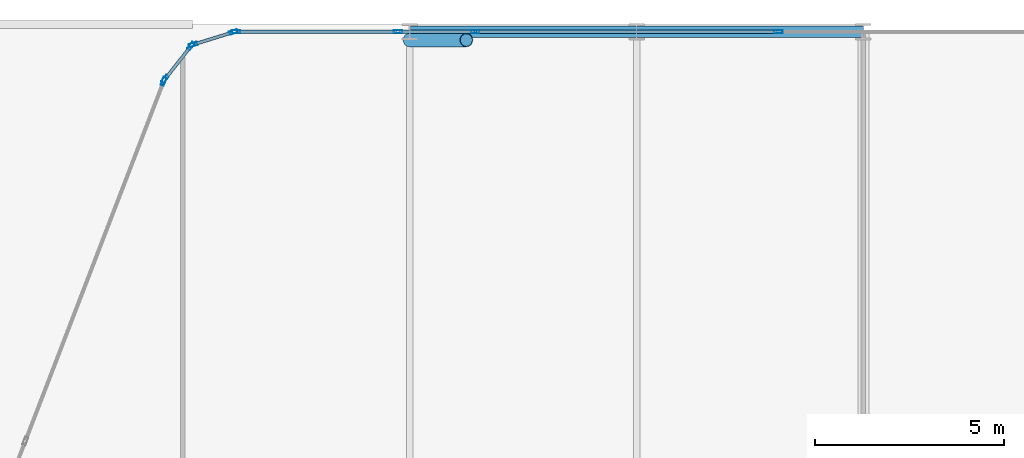
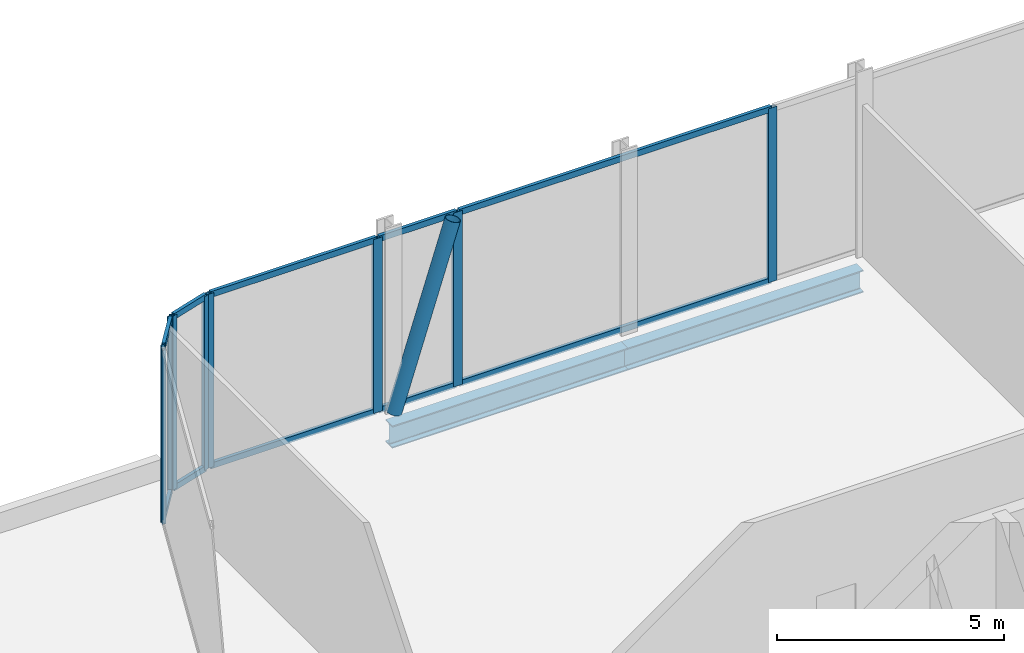
# One storey, part 11 of 29: 20 members, 2 beams, 6 elements without a shape of their own.
"""IFC4 building model written with IfcOpenShell, lengths in metres."""

from ifc_helpers import new_model, si_unit, direction, frame, origin, origin_2d, place, context, subcontext, project, spatial, hollow_rectangle, hollow_circle, i_section, extrude, material, layer, layer_set, material_profile, profile_set, type_object, element, aggregate, save


model = new_model("IFC4")

# Units and contexts
model_context = context("Model", 3, precision=1e-05, world=origin(), true_north=direction((0.0, 1.0)))
body_context = subcontext(model_context, "Body", "Model", "MODEL_VIEW")
ifc_project = project(units=[si_unit("LENGTHUNIT", "METRE"), si_unit("AREAUNIT", "SQUARE_METRE"), si_unit("VOLUMEUNIT", "CUBIC_METRE"), si_unit("PLANEANGLEUNIT", "RADIAN"), si_unit("MASSUNIT", "GRAM", prefix="KILO")], contexts=[model_context])

# Site, building, storey
site_placement = place(None, origin())
site = spatial("IfcSite", under=ifc_project, at=site_placement, CompositionType="ELEMENT")
building_placement = place(site_placement, origin())
building = spatial("IfcBuilding", under=site, at=building_placement, Name="Keshet Zoharim Tower", CompositionType="ELEMENT")
storey_placement = place(building_placement, frame((0.0, 0.0, 19.0)))
storey = spatial("IfcBuildingStorey", under=building, at=storey_placement, Name="L03", CompositionType="ELEMENT", Elevation=19.0)

# Beams
ifc_material_1 = material(Name="Steel S355", Category="steel")
ifc_material_profile_1 = material_profile(ifc_material_1, i_section(OverallWidth=0.300048828125, OverallDepth=0.60009765625, WebThickness=0.015380859375, FlangeThickness=0.030029296875, FilletRadius=0.027099609375, at=origin_2d()), Name="HEB600")
ifc_profile_set_1 = profile_set([ifc_material_profile_1], Name="Steel S355")
beam_type = type_object("IfcBeamType", Name="BM-WEB-HB600", PredefinedType="BEAM", material=ifc_profile_set_1)
for number, where, z_axis, x_axis, name in (
    (1, (21.0, 53.89990234375, -0.719970703125), (1.0, 0.0, 0.0), (0.0, 1.0, 0.0), "L03 Primary Girder X-007"),
    (2, (27.0, 53.89990234375, -0.719970703125), (1.0, 0.0, 0.0), (0.0, 1.0, 0.0), "L03 Primary Girder X-008"),
):
    element("IfcBeam", number, at=place(storey_placement, frame(where, z_axis=z_axis, x_axis=x_axis)), inside=storey, type_object=beam_type, Name=name, PredefinedType="BEAM", context=body_context, shape_type="SweptSolid", body=[
        extrude(i_section(OverallWidth=0.300048828125, OverallDepth=0.60009765625, WebThickness=0.015380859375, FlangeThickness=0.030029296875, FilletRadius=0.027099609375, at=origin_2d()), origin(), (0.0, 0.0, 1.0), 6.0),
    ])

# Curtain wall, member
ifc_material_2 = material(Name="Aluminium 6063-T6", Category="aluminium")
ifc_layer_1 = layer(ifc_material_2, 0.179931640625)
ifc_layer_set_1 = layer_set([ifc_layer_1], Name="Aluminium 6063-T6")
curtain_wall_type_1 = type_object("IfcCurtainWallType", Name="CW-SYS-01", PredefinedType="NOTDEFINED", material=ifc_layer_set_1)
curtain_wall_1_placement = place(storey_placement, origin())
curtain_wall_1 = element("IfcCurtainWall", 3, at=curtain_wall_1_placement, inside=storey, type_object=curtain_wall_type_1, Name="L03 Unitised Curtain Wall 03", PredefinedType="NOTDEFINED")
ifc_material_profile_2 = material_profile(ifc_material_2, hollow_rectangle(XDim=0.090087890625, YDim=0.219970703125, WallThickness=0.0048828125, at=origin_2d()), Name="MUL-90x220")
ifc_profile_set_2 = profile_set([ifc_material_profile_2], Name="Aluminium 6063-T6")
member_type_1 = type_object("IfcMemberType", Name="CWM-M22", PredefinedType="MULLION", material=ifc_profile_set_2)
member_1_placement = place(storey_placement, frame((14.494384765625, 52.58544921875, 0.0), z_axis=(0.0, 0.0, 1.0), x_axis=(-0.933341404361, 0.358990003907, 0.0)))
member_1 = element("IfcMember", 4, at=member_1_placement, type_object=member_type_1, Name="CW-01 mullion 4", PredefinedType="MULLION", context=body_context, shape_type="SweptSolid", body=[
    extrude(hollow_rectangle(XDim=0.090087890625, YDim=0.219970703125, WallThickness=0.0048828125, at=origin_2d()), origin(), (0.0, 0.0, 1.0), 4.68505859375),
])
aggregate(curtain_wall_1, [member_1])

# Curtain wall, members
curtain_wall_2_placement = place(storey_placement, origin())
curtain_wall_2 = element("IfcCurtainWall", 5, at=curtain_wall_2_placement, inside=storey, type_object=curtain_wall_type_1, Name="L03 Unitised Curtain Wall 04", PredefinedType="NOTDEFINED")
member_2_placement = place(storey_placement, frame((14.528564453125, 52.6455078125, 0.0), z_axis=(0.0, 0.0, 1.0), x_axis=(-0.785292825205, 0.619124525989, 0.0)))
member_2 = element("IfcMember", 6, at=member_2_placement, type_object=member_type_1, Name="CW-01 mullion 1", PredefinedType="MULLION", context=body_context, shape_type="SweptSolid", body=[
    extrude(hollow_rectangle(XDim=0.090087890625, YDim=0.219970703125, WallThickness=0.0048828125, at=origin_2d()), origin(), (0.0, 0.0, 1.0), 4.68505859375),
])
member_3_placement = place(storey_placement, frame((15.21923828125, 53.521484375, 0.0), z_axis=(0.0, 0.0, 1.0), x_axis=(-0.785292825205, 0.619124525989, 0.0)))
member_3 = element("IfcMember", 7, at=member_3_placement, type_object=member_type_1, Name="CW-01 mullion 2", PredefinedType="MULLION", context=body_context, shape_type="SweptSolid", body=[
    extrude(hollow_rectangle(XDim=0.090087890625, YDim=0.219970703125, WallThickness=0.0048828125, at=origin_2d()), origin(), (0.0, 0.0, 1.0), 4.68505859375),
])

curtain_wall_3_placement = place(storey_placement, origin())
curtain_wall_3 = element("IfcCurtainWall", 8, at=curtain_wall_3_placement, inside=storey, type_object=curtain_wall_type_1, Name="L03 Unitised Curtain Wall 05", PredefinedType="NOTDEFINED")
member_4_placement = place(storey_placement, frame((15.2744140625, 53.559326171875, 0.0), z_axis=(0.0, 0.0, 1.0), x_axis=(-0.295921857984, 0.955212151288, 0.0)))
member_4 = element("IfcMember", 9, at=member_4_placement, type_object=member_type_1, Name="CW-01 mullion 1", PredefinedType="MULLION", context=body_context, shape_type="SweptSolid", body=[
    extrude(hollow_rectangle(XDim=0.090087890625, YDim=0.219970703125, WallThickness=0.0048828125, at=origin_2d()), origin(), (0.0, 0.0, 1.0), 4.68505859375),
])
member_5_placement = place(storey_placement, frame((16.340576171875, 53.8896484375, 0.0), z_axis=(0.0, 0.0, 1.0), x_axis=(-0.295921857984, 0.955212151288, 0.0)))
member_5 = element("IfcMember", 10, at=member_5_placement, type_object=member_type_1, Name="CW-01 mullion 2", PredefinedType="MULLION", context=body_context, shape_type="SweptSolid", body=[
    extrude(hollow_rectangle(XDim=0.090087890625, YDim=0.219970703125, WallThickness=0.0048828125, at=origin_2d()), origin(), (0.0, 0.0, 1.0), 4.68505859375),
])

ifc_layer_2 = layer(ifc_material_2, 0.169921875)
ifc_layer_set_2 = layer_set([ifc_layer_2], Name="Aluminium 6063-T6")
curtain_wall_type_2 = type_object("IfcCurtainWallType", Name="CW-SYS-02", PredefinedType="NOTDEFINED", material=ifc_layer_set_2)
curtain_wall_4_placement = place(storey_placement, origin())
curtain_wall_4 = element("IfcCurtainWall", 11, at=curtain_wall_4_placement, inside=storey, type_object=curtain_wall_type_2, Name="L03 Unitised Curtain Wall 06", PredefinedType="NOTDEFINED")
member_6_placement = place(storey_placement, frame((16.408935546875, 53.89990234375, 0.0), z_axis=(0.0, 0.0, 1.0), x_axis=(0.0, 1.0, 0.0)))
member_6 = element("IfcMember", 12, at=member_6_placement, type_object=member_type_1, Name="CW-02 mullion 1", PredefinedType="MULLION", context=body_context, shape_type="SweptSolid", body=[
    extrude(hollow_rectangle(XDim=0.090087890625, YDim=0.219970703125, WallThickness=0.0048828125, at=origin_2d()), origin(), (0.0, 0.0, 1.0), 4.68505859375),
])
member_7_placement = place(storey_placement, frame((20.69580078125, 53.89990234375, 0.0), z_axis=(0.0, 0.0, 1.0), x_axis=(0.0, 1.0, 0.0)))
member_7 = element("IfcMember", 13, at=member_7_placement, type_object=member_type_1, Name="CW-02 mullion 2", PredefinedType="MULLION", context=body_context, shape_type="SweptSolid", body=[
    extrude(hollow_rectangle(XDim=0.090087890625, YDim=0.219970703125, WallThickness=0.0048828125, at=origin_2d()), origin(), (0.0, 0.0, 1.0), 4.68505859375),
])

# Curtain wall, member
curtain_wall_5_placement = place(storey_placement, origin())
curtain_wall_5 = element("IfcCurtainWall", 14, at=curtain_wall_5_placement, inside=storey, type_object=curtain_wall_type_2, Name="L03 Unitised Curtain Wall 06 Part 2", PredefinedType="NOTDEFINED")
member_8_placement = place(storey_placement, frame((22.734375, 53.89990234375, 0.0), z_axis=(0.0, 0.0, 1.0), x_axis=(0.0, 1.0, 0.0)))
member_8 = element("IfcMember", 15, at=member_8_placement, type_object=member_type_1, Name="CW-02 mullion 2", PredefinedType="MULLION", context=body_context, shape_type="SweptSolid", body=[
    extrude(hollow_rectangle(XDim=0.090087890625, YDim=0.219970703125, WallThickness=0.0048828125, at=origin_2d()), origin(), (0.0, 0.0, 1.0), 4.68505859375),
])

curtain_wall_6_placement = place(storey_placement, origin())
curtain_wall_6 = element("IfcCurtainWall", 16, at=curtain_wall_6_placement, inside=storey, type_object=curtain_wall_type_2, Name="L03 Unitised Curtain Wall 06 Part 3", PredefinedType="NOTDEFINED")
member_9_placement = place(storey_placement, frame((30.75, 53.89990234375, 0.0), z_axis=(0.0, 0.0, 1.0), x_axis=(0.0, 1.0, 0.0)))
member_9 = element("IfcMember", 17, at=member_9_placement, type_object=member_type_1, Name="CW-02 mullion 2", PredefinedType="MULLION", context=body_context, shape_type="SweptSolid", body=[
    extrude(hollow_rectangle(XDim=0.090087890625, YDim=0.219970703125, WallThickness=0.0048828125, at=origin_2d()), origin(), (0.0, 0.0, 1.0), 4.68505859375),
])

# Member
ifc_material_profile_3 = material_profile(ifc_material_2, hollow_rectangle(XDim=0.0849609375, YDim=0.159912109375, WallThickness=0.00439453125, at=origin_2d()), Name="TRN-85x160")
ifc_profile_set_3 = profile_set([ifc_material_profile_3], Name="Aluminium 6063-T6")
member_type_2 = type_object("IfcMemberType", Name="CWT-T16", PredefinedType="USERDEFINED", material=ifc_profile_set_3)
member_10_placement = place(storey_placement, frame((14.55029296875, 52.6728515625, 0.034912109375), z_axis=(0.619099165969, 0.78531281837, 0.0), x_axis=(-0.78531281837, 0.619099165969, 0.0)))
member_10 = element("IfcMember", 18, at=member_10_placement, type_object=member_type_2, Name="CW-01 transom 1.1", ObjectType="TRANSOM", PredefinedType="USERDEFINED", context=body_context, shape_type="SweptSolid", body=[
    extrude(hollow_rectangle(XDim=0.0849609375, YDim=0.159912109375, WallThickness=0.00439453125, at=origin_2d()), origin(), (0.0, 0.0, 1.0), 1.0458984375),
])

member_11_placement = place(storey_placement, frame((14.55029296875, 52.6728515625, 4.64990234375), z_axis=(0.619099165969, 0.78531281837, 0.0), x_axis=(-0.78531281837, 0.619099165969, 0.0)))
member_11 = element("IfcMember", 19, at=member_11_placement, type_object=member_type_2, Name="CW-01 transom 1.2", ObjectType="TRANSOM", PredefinedType="USERDEFINED", context=body_context, shape_type="SweptSolid", body=[
    extrude(hollow_rectangle(XDim=0.0849609375, YDim=0.159912109375, WallThickness=0.00439453125, at=origin_2d()), origin(), (0.0, 0.0, 1.0), 1.0458984375),
])

aggregate(curtain_wall_2, [member_2, member_3, member_10, member_11])

member_12_placement = place(storey_placement, frame((15.307861328125, 53.56982421875, 0.034912109375), z_axis=(0.955212093062, 0.295922045933, 0.0), x_axis=(-0.295922045933, 0.955212093062, 0.0)))
member_12 = element("IfcMember", 20, at=member_12_placement, type_object=member_type_2, Name="CW-01 transom 1.1", ObjectType="TRANSOM", PredefinedType="USERDEFINED", context=body_context, shape_type="SweptSolid", body=[
    extrude(hollow_rectangle(XDim=0.0849609375, YDim=0.159912109375, WallThickness=0.00439453125, at=origin_2d()), origin(), (0.0, 0.0, 1.0), 1.046142578125),
])

member_13_placement = place(storey_placement, frame((15.307861328125, 53.56982421875, 4.64990234375), z_axis=(0.955212093062, 0.295922045933, 0.0), x_axis=(-0.295922045933, 0.955212093062, 0.0)))
member_13 = element("IfcMember", 21, at=member_13_placement, type_object=member_type_2, Name="CW-01 transom 1.2", ObjectType="TRANSOM", PredefinedType="USERDEFINED", context=body_context, shape_type="SweptSolid", body=[
    extrude(hollow_rectangle(XDim=0.0849609375, YDim=0.159912109375, WallThickness=0.00439453125, at=origin_2d()), origin(), (0.0, 0.0, 1.0), 1.046142578125),
])

aggregate(curtain_wall_3, [member_4, member_5, member_12, member_13])

member_14_placement = place(storey_placement, frame((16.444091796875, 53.89990234375, 0.034912109375), z_axis=(1.0, 0.0, 0.0), x_axis=(0.0, 1.0, 0.0)))
member_14 = element("IfcMember", 22, at=member_14_placement, type_object=member_type_2, Name="CW-02 transom 1.1", ObjectType="TRANSOM", PredefinedType="USERDEFINED", context=body_context, shape_type="SweptSolid", body=[
    extrude(hollow_rectangle(XDim=0.0849609375, YDim=0.159912109375, WallThickness=0.00439453125, at=origin_2d()), origin(), (0.0, 0.0, 1.0), 4.216552734375),
])

member_15_placement = place(storey_placement, frame((16.444091796875, 53.89990234375, 4.64990234375), z_axis=(1.0, 0.0, 0.0), x_axis=(0.0, 1.0, 0.0)))
member_15 = element("IfcMember", 23, at=member_15_placement, type_object=member_type_2, Name="CW-02 transom 1.2", ObjectType="TRANSOM", PredefinedType="USERDEFINED", context=body_context, shape_type="SweptSolid", body=[
    extrude(hollow_rectangle(XDim=0.0849609375, YDim=0.159912109375, WallThickness=0.00439453125, at=origin_2d()), origin(), (0.0, 0.0, 1.0), 4.216552734375),
])

aggregate(curtain_wall_4, [member_6, member_7, member_14, member_15])

member_16_placement = place(storey_placement, frame((20.730712890625, 53.89990234375, 0.034912109375), z_axis=(1.0, 0.0, 0.0), x_axis=(0.0, 1.0, 0.0)))
member_16 = element("IfcMember", 24, at=member_16_placement, type_object=member_type_2, Name="CW-02 transom 1.1", ObjectType="TRANSOM", PredefinedType="USERDEFINED", context=body_context, shape_type="SweptSolid", body=[
    extrude(hollow_rectangle(XDim=0.0849609375, YDim=0.159912109375, WallThickness=0.00439453125, at=origin_2d()), origin(), (0.0, 0.0, 1.0), 1.968505859375),
])

member_17_placement = place(storey_placement, frame((20.730712890625, 53.89990234375, 4.64990234375), z_axis=(1.0, 0.0, 0.0), x_axis=(0.0, 1.0, 0.0)))
member_17 = element("IfcMember", 25, at=member_17_placement, type_object=member_type_2, Name="CW-02 transom 1.2", ObjectType="TRANSOM", PredefinedType="USERDEFINED", context=body_context, shape_type="SweptSolid", body=[
    extrude(hollow_rectangle(XDim=0.0849609375, YDim=0.159912109375, WallThickness=0.00439453125, at=origin_2d()), origin(), (0.0, 0.0, 1.0), 1.968505859375),
])

aggregate(curtain_wall_5, [member_8, member_16, member_17])

member_18_placement = place(storey_placement, frame((22.769287109375, 53.89990234375, 0.034912109375), z_axis=(1.0, 0.0, 0.0), x_axis=(0.0, 1.0, 0.0)))
member_18 = element("IfcMember", 26, at=member_18_placement, type_object=member_type_2, Name="CW-02 transom 1.1", ObjectType="TRANSOM", PredefinedType="USERDEFINED", context=body_context, shape_type="SweptSolid", body=[
    extrude(hollow_rectangle(XDim=0.0849609375, YDim=0.159912109375, WallThickness=0.00439453125, at=origin_2d()), origin(), (0.0, 0.0, 1.0), 7.94580078125),
])

member_19_placement = place(storey_placement, frame((22.769287109375, 53.89990234375, 4.64990234375), z_axis=(1.0, 0.0, 0.0), x_axis=(0.0, 1.0, 0.0)))
member_19 = element("IfcMember", 27, at=member_19_placement, type_object=member_type_2, Name="CW-02 transom 1.2", ObjectType="TRANSOM", PredefinedType="USERDEFINED", context=body_context, shape_type="SweptSolid", body=[
    extrude(hollow_rectangle(XDim=0.0849609375, YDim=0.159912109375, WallThickness=0.00439453125, at=origin_2d()), origin(), (0.0, 0.0, 1.0), 7.94580078125),
])

aggregate(curtain_wall_6, [member_9, member_18, member_19])

ifc_material_profile_4 = material_profile(ifc_material_1, hollow_circle(Radius=0.177734375, WallThickness=0.012451171875, at=origin_2d()), Name="CHS355x12.5")
ifc_profile_set_4 = profile_set([ifc_material_profile_4], Name="Steel S355")
member_type_3 = type_object("IfcMemberType", Name="MB-BR-C355", PredefinedType="BRACE", material=ifc_profile_set_4)
member_20_placement = place(storey_placement, frame((21.0, 53.679931640625, 0.0), z_axis=(0.304919784201, 0.0, 0.952378036917), x_axis=(0.0, 1.0, 0.0)))
element("IfcMember", 28, at=member_20_placement, inside=storey, type_object=member_type_3, Name="L03 Perimeter Tube Brace 01", PredefinedType="BRACE", context=body_context, shape_type="SweptSolid", body=[
    extrude(hollow_circle(Radius=0.177734375, WallThickness=0.012451171875, at=origin_2d()), origin(), (0.0, 0.0, 1.0), 4.91943359375),
])

save(model, "model.ifc")
